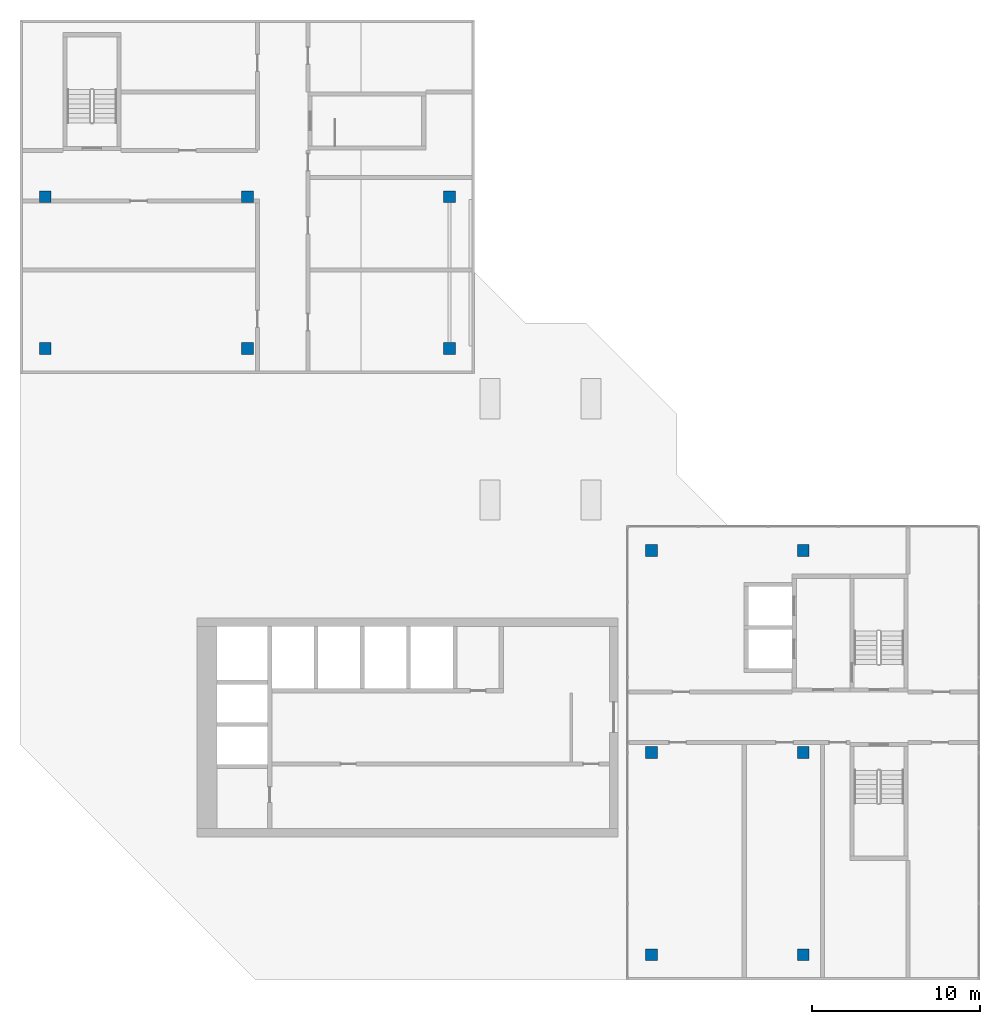
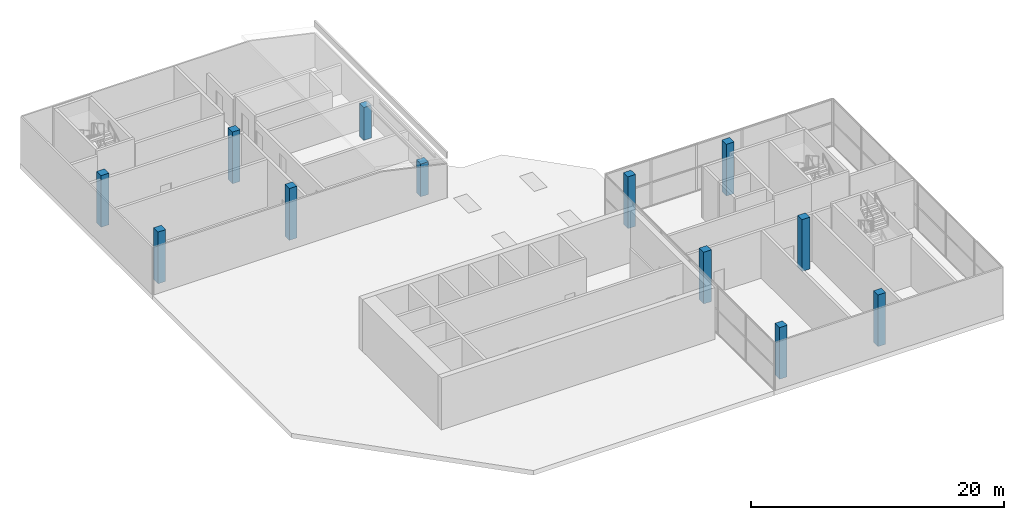
# One storey, part 1 of 8: 12 columns.
"""IFC4 building model written with IfcOpenShell, lengths in metres."""

from ifc_helpers import new_model, si_unit, direction, frame, origin, origin_2d, place, context, subcontext, project, spatial, rectangle, extrude, material, material_profile, profile_set, type_object, element, save


model = new_model("IFC4")

# Units and contexts
model_context = context("Model", 3, precision=1e-05, world=origin(), true_north=direction((0.0, 1.0)))
body_context = subcontext(model_context, "Body", "Model", "MODEL_VIEW")
ifc_project = project(units=[si_unit("LENGTHUNIT", "METRE"), si_unit("AREAUNIT", "SQUARE_METRE"), si_unit("VOLUMEUNIT", "CUBIC_METRE"), si_unit("PLANEANGLEUNIT", "RADIAN"), si_unit("MASSUNIT", "GRAM", prefix="KILO")], contexts=[model_context])

# Site, building, storey
site_placement = place(None, origin())
site = spatial("IfcSite", under=ifc_project, at=site_placement, CompositionType="ELEMENT")
building_placement = place(site_placement, origin())
building = spatial("IfcBuilding", under=site, at=building_placement, Name="Chenar Terraces", CompositionType="ELEMENT")
storey_placement = place(building_placement, frame((0.0, 0.0, 383.89990234375)))
storey = spatial("IfcBuildingStorey", under=building, at=storey_placement, Name="L90", CompositionType="ELEMENT", Elevation=383.89990234375)

# Columns
ifc_material = material(Name="Concrete C40/50", Category="concrete")
ifc_material_profile = material_profile(ifc_material, rectangle(XDim=0.699951171875, YDim=0.699951171875, at=origin_2d()), Name="C 700 x 700")
ifc_profile_set = profile_set([ifc_material_profile], Name="Concrete C40/50")
column_type = type_object("IfcColumnType", Name="Column C 700 x 700 Concrete C40/50", PredefinedType="COLUMN", material=ifc_profile_set)
for number, where, z_axis, x_axis, name in (
    (1, (36.0, 0.0, 0.0), (0.0, 0.0, 1.0), (1.0, 0.0, 0.0), "Column 8/E L90"),
    (2, (36.0, 12.0, 0.0), (0.0, 0.0, 1.0), (1.0, 0.0, 0.0), "Column 8/F L90"),
    (3, (36.0, 24.0, 0.0), (0.0, 0.0, 1.0), (1.0, 0.0, 0.0), "Column 8/G L90"),
    (4, (45.0, 0.0, 0.0), (0.0, 0.0, 1.0), (1.0, 0.0, 0.0), "Column 9/E L90"),
    (5, (45.0, 12.0, 0.0), (0.0, 0.0, 1.0), (1.0, 0.0, 0.0), "Column 9/F L90"),
    (6, (45.0, 24.0, 0.0), (0.0, 0.0, 1.0), (1.0, 0.0, 0.0), "Column 9/G L90"),
    (7, (0.0, 36.0, 0.0), (0.0, 0.0, 1.0), (1.0, 0.0, 0.0), "Column 5/H L90"),
    (8, (0.0, 45.0, 0.0), (0.0, 0.0, 1.0), (1.0, 0.0, 0.0), "Column 5/J L90"),
    (9, (12.0, 36.0, 0.0), (0.0, 0.0, 1.0), (1.0, 0.0, 0.0), "Column 6/H L90"),
    (10, (12.0, 45.0, 0.0), (0.0, 0.0, 1.0), (1.0, 0.0, 0.0), "Column 6/J L90"),
):
    element("IfcColumn", number, at=place(storey_placement, frame(where, z_axis=z_axis, x_axis=x_axis)), inside=storey, type_object=column_type, Name=name, PredefinedType="COLUMN", context=body_context, shape_type="SweptSolid", body=[
        extrude(rectangle(XDim=0.699951171875, YDim=0.699951171875, at=origin_2d()), origin(), (0.0, 0.0, 1.0), 5.0),
    ])
for number, where, z_axis, x_axis, name in (
    (11, (24.0, 36.0, 0.0), (0.0, 0.0, 1.0), (1.0, 0.0, 0.0), "Column 7/H L90"),
    (12, (24.0, 45.0, 0.0), (0.0, 0.0, 1.0), (1.0, 0.0, 0.0), "Column 7/J L90"),
):
    element("IfcColumn", number, at=place(storey_placement, frame(where, z_axis=z_axis, x_axis=x_axis)), inside=storey, type_object=column_type, Name=name, PredefinedType="COLUMN", context=body_context, shape_type="SweptSolid", body=[
        extrude(rectangle(XDim=0.699951171875, YDim=0.699951171875, at=origin_2d()), origin(), (0.0, 0.0, 1.0), 3.16796875),
    ])

save(model, "model.ifc")
